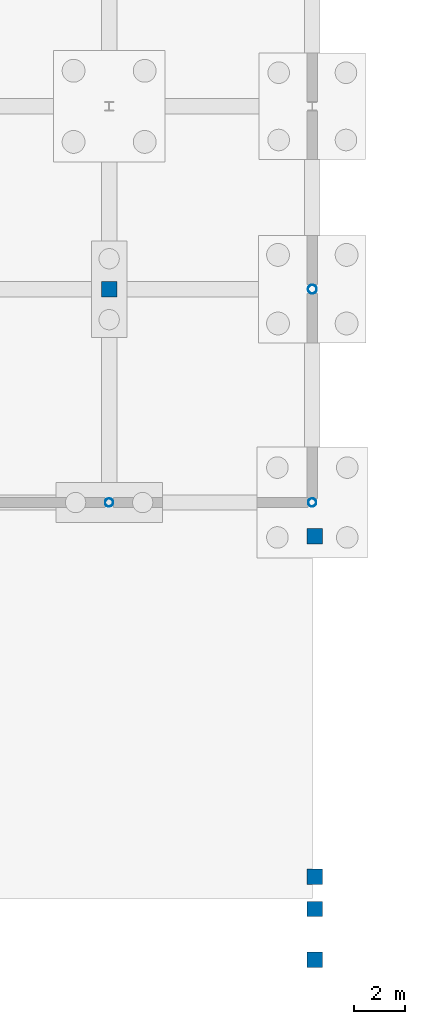
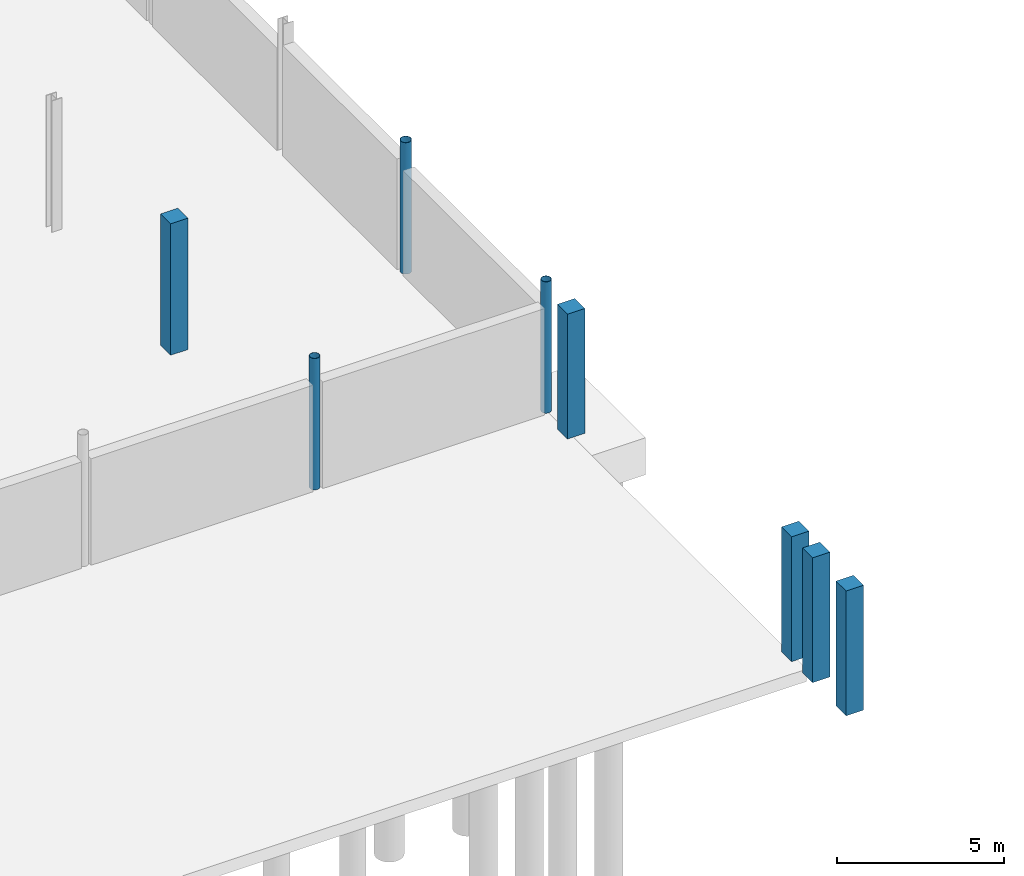
# One storey, part 19 of 44: 8 columns.
"""IFC4 building model written with IfcOpenShell, lengths in metres."""

from ifc_helpers import new_model, si_unit, direction, frame, origin, origin_2d, place, context, subcontext, project, spatial, rectangle, hollow_circle, extrude, material, material_profile, profile_set, type_object, element, save


model = new_model("IFC4")

# Units and contexts
model_context = context("Model", 3, precision=1e-05, world=origin(), true_north=direction((0.0, 1.0)))
body_context = subcontext(model_context, "Body", "Model", "MODEL_VIEW")
ifc_project = project(units=[si_unit("LENGTHUNIT", "METRE"), si_unit("AREAUNIT", "SQUARE_METRE"), si_unit("VOLUMEUNIT", "CUBIC_METRE"), si_unit("PLANEANGLEUNIT", "RADIAN"), si_unit("MASSUNIT", "GRAM", prefix="KILO")], contexts=[model_context])

# Site, building, storey
site_placement = place(None, origin())
site = spatial("IfcSite", under=ifc_project, at=site_placement, CompositionType="ELEMENT")
building_placement = place(site_placement, origin())
building = spatial("IfcBuilding", under=site, at=building_placement, Name="Yukiwa Park Conservatory and Herbarium", CompositionType="ELEMENT")
storey_placement = place(building_placement, frame((0.0, 0.0, -4.800048828125)))
storey = spatial("IfcBuildingStorey", under=building, at=storey_placement, Name="B1", CompositionType="ELEMENT", Elevation=-4.800048828125)

# Columns
ifc_material_1 = material(Name="Concrete C40", Category="concrete")
ifc_material_profile_1 = material_profile(ifc_material_1, rectangle(XDim=0.60009765625, YDim=0.60009765625, at=origin_2d()), Name="RC 600x600")
ifc_profile_set_1 = profile_set([ifc_material_profile_1], Name="Concrete C40")
column_type_1 = type_object("IfcColumnType", Name="COL-B1-RC600", PredefinedType="COLUMN", material=ifc_profile_set_1)
column_1_placement = place(storey_placement, frame((100.0, 24.0, 0.0), z_axis=(0.0, 0.0, 1.0), x_axis=(1.0, 0.0, 0.0)))
element("IfcColumn", 1, at=column_1_placement, inside=storey, type_object=column_type_1, Name="B1 column V2B-X1000-Y240", PredefinedType="COLUMN", context=body_context, shape_type="SweptSolid", body=[
    extrude(rectangle(XDim=0.60009765625, YDim=0.60009765625, at=origin_2d()), origin(), (0.0, 0.0, 1.0), 4.800048828125),
])
for number, where, z_axis, x_axis, name in (
    (2, (108.10009765625, -2.39990234375, 0.0), (0.0, 0.0, 1.0), (1.0, 0.0, 0.0), "Exterior frost apron pier 14"),
    (3, (108.10009765625, -0.39990234375, 0.0), (0.0, 0.0, 1.0), (1.0, 0.0, 0.0), "Exterior frost apron pier 15"),
    (4, (108.10009765625, 0.863037109375, 0.0), (0.0, 0.0, 1.0), (1.0, 0.0, 0.0), "Exterior frost apron pier 18"),
    (5, (108.10009765625, 14.27490234375, 0.0), (0.0, 0.0, 1.0), (1.0, 0.0, 0.0), "Exterior frost apron pier 19"),
):
    element("IfcColumn", number, at=place(storey_placement, frame(where, z_axis=z_axis, x_axis=x_axis)), inside=storey, type_object=column_type_1, Name=name, PredefinedType="COLUMN", context=body_context, shape_type="SweptSolid", body=[
        extrude(rectangle(XDim=0.60009765625, YDim=0.60009765625, at=origin_2d()), origin(), (0.0, 0.0, 1.0), 4.56005859375),
    ])
ifc_material_2 = material(Name="Steel Q355D", Category="steel")
ifc_material_profile_2 = material_profile(ifc_material_2, hollow_circle(Radius=0.16259765625, WallThickness=0.011962890625, at=origin_2d()), Name="CHS 325x12")
ifc_profile_set_2 = profile_set([ifc_material_profile_2], Name="Steel Q355D")
column_type_2 = type_object("IfcColumnType", Name="COL-CN-CHS325", PredefinedType="COLUMN", material=ifc_profile_set_2)
for number, where, z_axis, x_axis, name in (
    (6, (100.0, 15.60009765625, 0.0), (0.0, 0.0, 1.0), (1.0, 0.0, 0.0), "B1 column V2-X1000-Y156"),
    (7, (108.0, 15.60009765625, 0.0), (0.0, 0.0, 1.0), (1.0, 0.0, 0.0), "B1 column V2-X1080-Y156"),
):
    element("IfcColumn", number, at=place(storey_placement, frame(where, z_axis=z_axis, x_axis=x_axis)), inside=storey, type_object=column_type_2, Name=name, PredefinedType="COLUMN", context=body_context, shape_type="SweptSolid", body=[
        extrude(hollow_circle(Radius=0.16259765625, WallThickness=0.011962890625, at=origin_2d()), origin(), (0.0, 0.0, 1.0), 4.800048828125),
    ])
ifc_material_3 = material(Name="Steel Q355D", Category="steel")
ifc_material_profile_3 = material_profile(ifc_material_3, hollow_circle(Radius=0.177734375, WallThickness=0.012451171875, at=origin_2d()), Name="CHS 355.6x12.5")
ifc_profile_set_3 = profile_set([ifc_material_profile_3], Name="Steel Q355D")
column_type_3 = type_object("IfcColumnType", Name="COL-CN-CHS356-INT", PredefinedType="COLUMN", material=ifc_profile_set_3)
column_2_placement = place(storey_placement, frame((108.0, 24.0, 0.0), z_axis=(0.0, 0.0, 1.0), x_axis=(1.0, 0.0, 0.0)))
element("IfcColumn", 8, at=column_2_placement, inside=storey, type_object=column_type_3, Name="B1 column V2-X1080-Y240", PredefinedType="COLUMN", context=body_context, shape_type="SweptSolid", body=[
    extrude(hollow_circle(Radius=0.177734375, WallThickness=0.012451171875, at=origin_2d()), origin(), (0.0, 0.0, 1.0), 4.800048828125),
])

save(model, "model.ifc")
